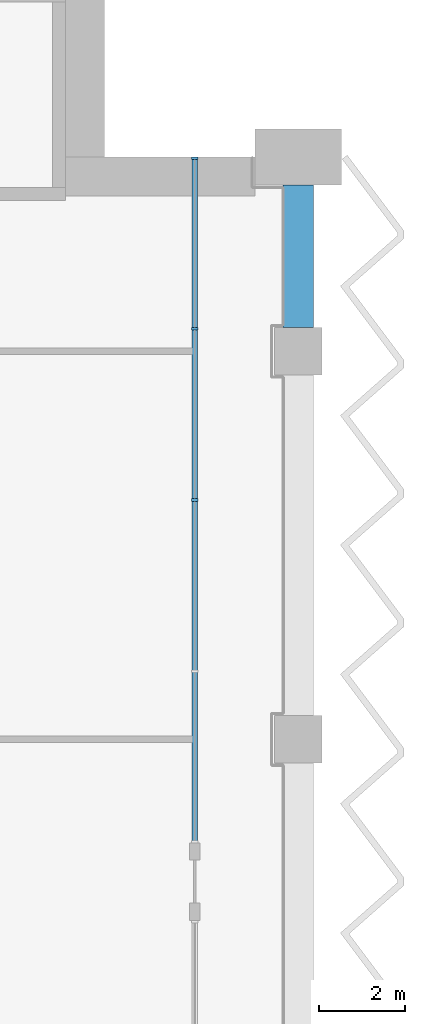
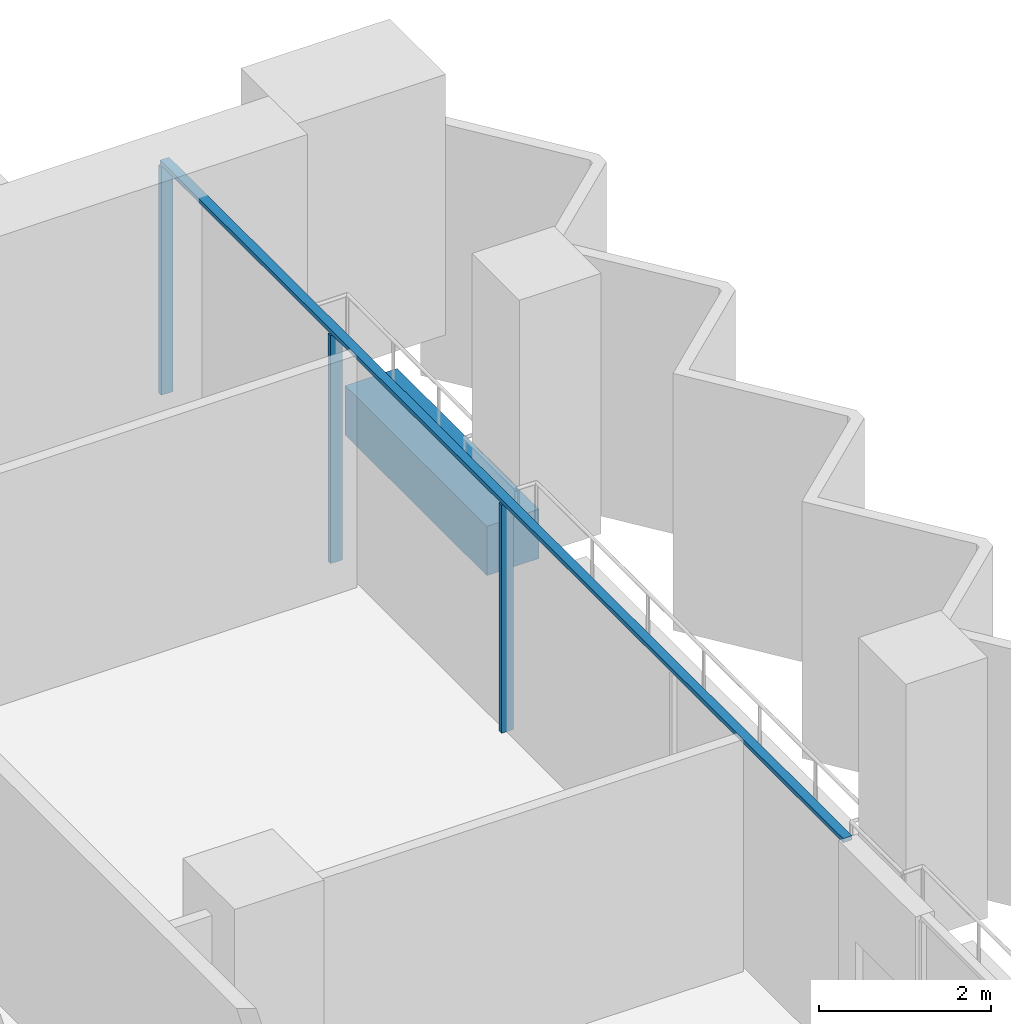
# One storey, part 6 of 23: 4 members, 1 beam, 1 element without a shape of its own.
"""IFC4 building model written with IfcOpenShell, lengths in metres."""

from ifc_helpers import new_model, si_unit, direction, frame, origin, origin_2d, place, context, subcontext, project, spatial, rectangle, extrude, material, material_profile, profile_set, type_object, element, aggregate, save


model = new_model("IFC4")

# Units and contexts
model_context = context("Model", 3, precision=1e-05, world=origin(), true_north=direction((0.0, 1.0)))
body_context = subcontext(model_context, "Body", "Model", "MODEL_VIEW")
ifc_project = project(units=[si_unit("LENGTHUNIT", "METRE"), si_unit("AREAUNIT", "SQUARE_METRE"), si_unit("VOLUMEUNIT", "CUBIC_METRE"), si_unit("PLANEANGLEUNIT", "RADIAN"), si_unit("MASSUNIT", "GRAM", prefix="KILO")], contexts=[model_context])

# Site, building, storey
site_placement = place(None, origin())
site = spatial("IfcSite", under=ifc_project, at=site_placement, CompositionType="ELEMENT")
building_placement = place(site_placement, origin())
building = spatial("IfcBuilding", under=site, at=building_placement, Name="Hunhe Ridgeline Campus", CompositionType="ELEMENT")
storey_placement = place(building_placement, frame((0.0, 0.0, 148.60009765625)))
storey = spatial("IfcBuildingStorey", under=building, at=storey_placement, Name="L37", CompositionType="ELEMENT", Elevation=148.60009765625)

# Curtain wall, members
ifc_material_1 = material(Name="Aluminium 6063", Category="aluminium")
curtain_wall_type = type_object("IfcCurtainWallType", Name="Curtain wall CW-1", PredefinedType="NOTDEFINED", material=ifc_material_1)
curtain_wall_placement = place(storey_placement, origin())
curtain_wall = element("IfcCurtainWall", 1, at=curtain_wall_placement, inside=storey, type_object=curtain_wall_type, Name="Curtain wall 15", PredefinedType="NOTDEFINED")
ifc_material_profile_1 = material_profile(ifc_material_1, rectangle(XDim=0.159912109375, YDim=0.06005859375, at=origin_2d()))
ifc_profile_set_1 = profile_set([ifc_material_profile_1], Name="Aluminium 6063")
member_type_1 = type_object("IfcMemberType", Name="CW-1 aluminium mullion", PredefinedType="MULLION", material=ifc_profile_set_1)
member_1_placement = place(storey_placement, frame((60.59912109375, 86.55029296875, 0.0), z_axis=(0.0, 0.0, 1.0), x_axis=(-1.0, 0.0, 0.0)))
member_1 = element("IfcMember", 2, at=member_1_placement, type_object=member_type_1, Name="CW-1 mullion 3", PredefinedType="MULLION", context=body_context, shape_type="SweptSolid", body=[
    extrude(rectangle(XDim=0.159912109375, YDim=0.06005859375, at=origin_2d()), origin(), (0.0, 0.0, 1.0), 3.239990234375),
])
member_2_placement = place(storey_placement, frame((60.59912109375, 90.525146484375, 0.0), z_axis=(0.0, 0.0, 1.0), x_axis=(-1.0, 0.0, 0.0)))
member_2 = element("IfcMember", 3, at=member_2_placement, type_object=member_type_1, Name="CW-1 mullion 4", PredefinedType="MULLION", context=body_context, shape_type="SweptSolid", body=[
    extrude(rectangle(XDim=0.159912109375, YDim=0.06005859375, at=origin_2d()), origin(), (0.0, 0.0, 1.0), 3.239990234375),
])
member_3_placement = place(storey_placement, frame((60.59912109375, 94.469970703125, 0.0), z_axis=(0.0, 0.0, 1.0), x_axis=(-1.0, 0.0, 0.0)))
member_3 = element("IfcMember", 4, at=member_3_placement, type_object=member_type_1, Name="CW-1 mullion 5", PredefinedType="MULLION", context=body_context, shape_type="SweptSolid", body=[
    extrude(rectangle(XDim=0.159912109375, YDim=0.06005859375, at=origin_2d()), origin(), (0.0, 0.0, 1.0), 3.239990234375),
])
ifc_material_profile_2 = material_profile(ifc_material_1, rectangle(XDim=0.1201171875, YDim=0.06005859375, at=origin_2d()))
ifc_profile_set_2 = profile_set([ifc_material_profile_2], Name="Aluminium 6063")
member_type_2 = type_object("IfcMemberType", Name="CW-1 aluminium transom", PredefinedType="USERDEFINED", material=ifc_profile_set_2)
member_4_placement = place(storey_placement, frame((60.59912109375, 78.6005859375, 3.27001953125), z_axis=(0.0, 1.0, 0.0), x_axis=(-1.0, 0.0, 0.0)))
member_4 = element("IfcMember", 5, at=member_4_placement, type_object=member_type_2, Name="CW-1 transom 1", ObjectType="TRANSOM", PredefinedType="USERDEFINED", context=body_context, shape_type="SweptSolid", body=[
    extrude(rectangle(XDim=0.1201171875, YDim=0.06005859375, at=origin_2d()), origin(), (0.0, 0.0, 1.0), 15.8994140625),
])
aggregate(curtain_wall, [member_4, member_1, member_2, member_3])

# Beam
ifc_material_2 = material(Name="Concrete C60", Category="concrete")
ifc_material_profile_3 = material_profile(ifc_material_2, rectangle(XDim=0.699951171875, YDim=0.699951171875, at=origin_2d()))
ifc_profile_set_3 = profile_set([ifc_material_profile_3], Name="Concrete C60")
beam_type = type_object("IfcBeamType", Name="RC spandrel beam 700x700 Concrete C60", PredefinedType="SPANDREL", material=ifc_profile_set_3)
beam_placement = place(storey_placement, frame((63.0, 90.550048828125, -0.60009765625), z_axis=(0.0, 1.0, 0.0), x_axis=(-1.0, 0.0, 0.0)))
element("IfcBeam", 6, at=beam_placement, inside=storey, type_object=beam_type, Name="Spandrel beam B2-20 L37", PredefinedType="SPANDREL", context=body_context, shape_type="SweptSolid", body=[
    extrude(rectangle(XDim=0.699951171875, YDim=0.699951171875, at=origin_2d()), origin(), (0.0, 0.0, 1.0), 3.300048828125),
])

save(model, "model.ifc")
